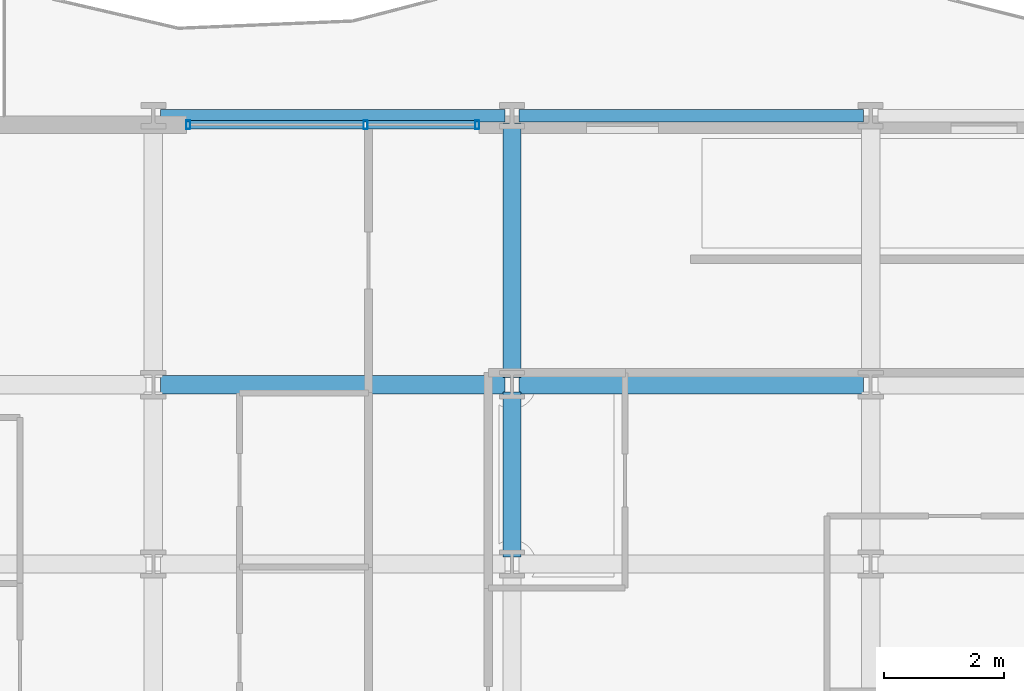
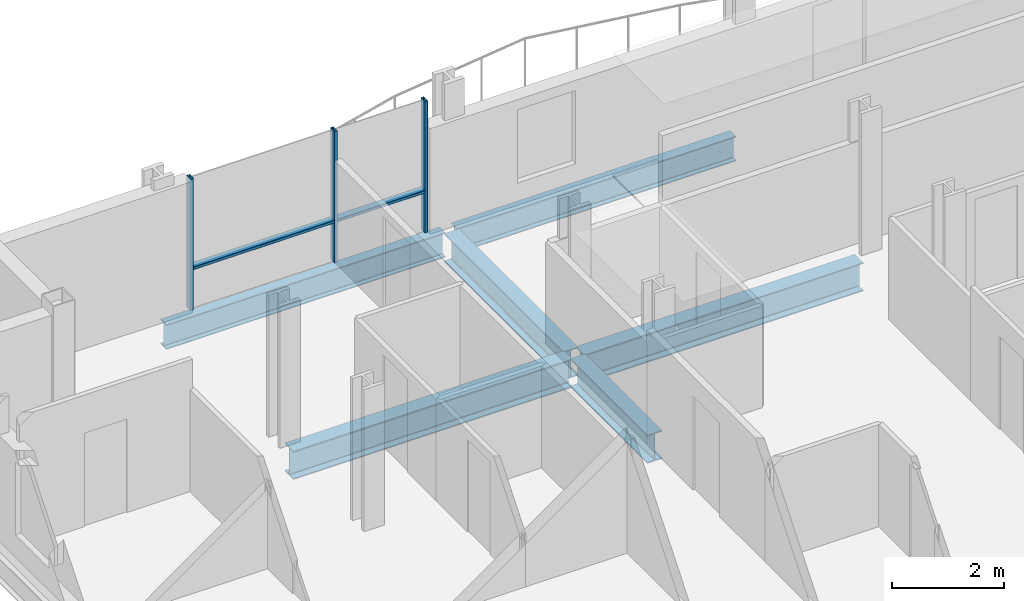
# One storey, part 7 of 38: 6 beams, 5 members, 1 element without a shape of its own.
"""IFC4 building model written with IfcOpenShell, lengths in metres."""

from ifc_helpers import new_model, si_unit, direction, frame, origin, origin_2d, place, context, subcontext, project, spatial, hollow_rectangle, i_section, extrude, material, layer, layer_set, material_profile, profile_set, type_object, element, aggregate, save


model = new_model("IFC4")

# Units and contexts
model_context = context("Model", 3, precision=1e-05, world=origin(), true_north=direction((0.0, 1.0)))
body_context = subcontext(model_context, "Body", "Model", "MODEL_VIEW")
ifc_project = project(units=[si_unit("LENGTHUNIT", "METRE"), si_unit("AREAUNIT", "SQUARE_METRE"), si_unit("VOLUMEUNIT", "CUBIC_METRE"), si_unit("PLANEANGLEUNIT", "RADIAN"), si_unit("MASSUNIT", "GRAM", prefix="KILO")], contexts=[model_context])

# Site, building, storey
site_placement = place(None, origin())
site = spatial("IfcSite", under=ifc_project, at=site_placement, CompositionType="ELEMENT")
building_placement = place(site_placement, origin())
building = spatial("IfcBuilding", under=site, at=building_placement, Name="Brevholm Reach", CompositionType="ELEMENT")
storey_placement = place(building_placement, frame((0.0, 0.0, 59.0)))
storey = spatial("IfcBuildingStorey", under=building, at=storey_placement, Name="L16", CompositionType="ELEMENT", Elevation=59.0)

# Beams
ifc_material_1 = material(Name="Structural Steel S355J2", Category="steel")
ifc_material_profile_1 = material_profile(ifc_material_1, i_section(OverallWidth=0.210693359375, OverallDepth=0.53955078125, WebThickness=0.01171875, FlangeThickness=0.018798828125, FilletRadius=0.0126953125, at=origin_2d()), Name="UKB 533x210x109")
ifc_profile_set_1 = profile_set([ifc_material_profile_1], Name="Structural Steel S355J2")
beam_type_1 = type_object("IfcBeamType", Name="BM-SP539", PredefinedType="SPANDREL", material=ifc_profile_set_1)
for number, where, z_axis, x_axis, name in (
    (1, (6.1201171875, 31.0, -0.499755859375), (1.0, 0.0, 0.0), (0.0, 1.0, 0.0), "L16 SP-01B Framing Beam"),
    (2, (12.1201171875, 31.0, -0.499755859375), (1.0, 0.0, 0.0), (0.0, 1.0, 0.0), "L16 SP-01B Framing Beam"),
):
    element("IfcBeam", number, at=place(storey_placement, frame(where, z_axis=z_axis, x_axis=x_axis)), inside=storey, type_object=beam_type_1, Name=name, PredefinedType="SPANDREL", context=body_context, shape_type="SweptSolid", body=[
        extrude(i_section(OverallWidth=0.210693359375, OverallDepth=0.53955078125, WebThickness=0.01171875, FlangeThickness=0.018798828125, FilletRadius=0.0126953125, at=origin_2d()), origin(), (0.0, 0.0, 1.0), 5.759765625),
    ])
ifc_material_2 = material(Name="Structural Steel S355J2", Category="steel")
ifc_material_profile_2 = material_profile(ifc_material_2, i_section(OverallWidth=0.30712890625, OverallDepth=0.6201171875, WebThickness=0.01416015625, FlangeThickness=0.023681640625, FilletRadius=0.0166015625, at=origin_2d()), Name="UKB 610x305x179")
ifc_profile_set_2 = profile_set([ifc_material_profile_2], Name="Structural Steel S355J2")
beam_type_2 = type_object("IfcBeamType", Name="BM-UKB610H", PredefinedType="USERDEFINED", material=ifc_profile_set_2)
for number, where, z_axis, x_axis, name in (
    (3, (6.1201171875, 26.5, -0.5400390625), (1.0, 0.0, 0.0), (0.0, 1.0, 0.0), "L16 G-06 Framing Beam"),
    (4, (12.1201171875, 26.5, -0.5400390625), (1.0, 0.0, 0.0), (0.0, 1.0, 0.0), "L16 G-06 Framing Beam"),
):
    element("IfcBeam", number, at=place(storey_placement, frame(where, z_axis=z_axis, x_axis=x_axis)), inside=storey, type_object=beam_type_2, Name=name, ObjectType="GIRDER", PredefinedType="USERDEFINED", context=body_context, shape_type="SweptSolid", body=[
        extrude(i_section(OverallWidth=0.30712890625, OverallDepth=0.6201171875, WebThickness=0.01416015625, FlangeThickness=0.023681640625, FilletRadius=0.0166015625, at=origin_2d()), origin(), (0.0, 0.0, 1.0), 5.759765625),
    ])
beam_1_placement = place(storey_placement, frame((12.0, 23.6201171875, -0.5400390625), z_axis=(0.0, 1.0, 0.0), x_axis=(-1.0, 0.0, 0.0)))
element("IfcBeam", 5, at=beam_1_placement, inside=storey, type_object=beam_type_2, Name="L16 G-06 Framing Beam", ObjectType="GIRDER", PredefinedType="USERDEFINED", context=body_context, shape_type="SweptSolid", body=[
    extrude(i_section(OverallWidth=0.30712890625, OverallDepth=0.6201171875, WebThickness=0.01416015625, FlangeThickness=0.023681640625, FilletRadius=0.0166015625, at=origin_2d()), origin(), (0.0, 0.0, 1.0), 2.759765625),
])
beam_2_placement = place(storey_placement, frame((12.0, 26.6201171875, -0.5400390625), z_axis=(0.0, 1.0, 0.0), x_axis=(-1.0, 0.0, 0.0)))
element("IfcBeam", 6, at=beam_2_placement, inside=storey, type_object=beam_type_2, Name="L16 G-06 Framing Beam", ObjectType="GIRDER", PredefinedType="USERDEFINED", context=body_context, shape_type="SweptSolid", body=[
    extrude(i_section(OverallWidth=0.30712890625, OverallDepth=0.6201171875, WebThickness=0.01416015625, FlangeThickness=0.023681640625, FilletRadius=0.0166015625, at=origin_2d()), origin(), (0.0, 0.0, 1.0), 4.259765625),
])

# Curtain wall, members
ifc_material_3 = material(Name="Dark Anodised Aluminium 6063-T6 and Solar-Control Glass", Category="aluminium")
ifc_layer = layer(ifc_material_3, 0.14990234375)
ifc_layer_set = layer_set([ifc_layer], Name="Dark Anodised Aluminium 6063-T6 and Solar-Control Glass")
curtain_wall_type = type_object("IfcCurtainWallType", Name="CW-01", PredefinedType="NOTDEFINED", material=ifc_layer_set)
curtain_wall_placement = place(storey_placement, origin())
curtain_wall = element("IfcCurtainWall", 7, at=curtain_wall_placement, inside=storey, type_object=curtain_wall_type, Name="L16 Curtain Wall CW-01", PredefinedType="NOTDEFINED")
ifc_material_4 = material(Name="Dark Anodised Aluminium 6063-T6", Category="aluminium")
ifc_material_profile_3 = material_profile(ifc_material_4, hollow_rectangle(XDim=0.06494140625, YDim=0.14990234375, WallThickness=0.0048828125, InnerFilletRadius=0.0048828125, OuterFilletRadius=0.010009765625, at=origin_2d()), Name="RHS 150x65x5")
ifc_profile_set_3 = profile_set([ifc_material_profile_3], Name="Dark Anodised Aluminium 6063-T6")
member_type_1 = type_object("IfcMemberType", Name="CWM-150", PredefinedType="MULLION", material=ifc_profile_set_3)
member_1_placement = place(storey_placement, frame((6.58251953125, 30.85009765625, 0.0), z_axis=(0.0, 0.0, 1.0), x_axis=(1.0, 0.0, 0.0)))
member_1 = element("IfcMember", 8, at=member_1_placement, type_object=member_type_1, Name="CM-150 Mullion 1", PredefinedType="MULLION", context=body_context, shape_type="SweptSolid", body=[
    extrude(hollow_rectangle(XDim=0.06494140625, YDim=0.14990234375, WallThickness=0.0048828125, InnerFilletRadius=0.0048828125, OuterFilletRadius=0.010009765625, at=origin_2d()), origin(), (0.0, 0.0, 1.0), 2.8701171875),
])
member_2_placement = place(storey_placement, frame((9.550048828125, 30.85009765625, 0.0), z_axis=(0.0, 0.0, 1.0), x_axis=(1.0, 0.0, 0.0)))
member_2 = element("IfcMember", 9, at=member_2_placement, type_object=member_type_1, Name="CM-150 Mullion 2", PredefinedType="MULLION", context=body_context, shape_type="SweptSolid", body=[
    extrude(hollow_rectangle(XDim=0.06494140625, YDim=0.14990234375, WallThickness=0.0048828125, InnerFilletRadius=0.0048828125, OuterFilletRadius=0.010009765625, at=origin_2d()), origin(), (0.0, 0.0, 1.0), 2.8701171875),
])
member_3_placement = place(storey_placement, frame((11.41748046875, 30.85009765625, 0.0), z_axis=(0.0, 0.0, 1.0), x_axis=(1.0, 0.0, 0.0)))
member_3 = element("IfcMember", 10, at=member_3_placement, type_object=member_type_1, Name="CM-150 Mullion 3", PredefinedType="MULLION", context=body_context, shape_type="SweptSolid", body=[
    extrude(hollow_rectangle(XDim=0.06494140625, YDim=0.14990234375, WallThickness=0.0048828125, InnerFilletRadius=0.0048828125, OuterFilletRadius=0.010009765625, at=origin_2d()), origin(), (0.0, 0.0, 1.0), 2.8701171875),
])
ifc_material_5 = material(Name="Dark Anodised Aluminium 6063-T6", Category="aluminium")
ifc_material_profile_4 = material_profile(ifc_material_5, hollow_rectangle(XDim=0.06494140625, YDim=0.14990234375, WallThickness=0.0048828125, InnerFilletRadius=0.0048828125, OuterFilletRadius=0.010009765625, at=origin_2d()), Name="RHS 150x65x5")
ifc_profile_set_4 = profile_set([ifc_material_profile_4], Name="Dark Anodised Aluminium 6063-T6")
member_type_2 = type_object("IfcMemberType", Name="CWT-150", PredefinedType="NOTDEFINED", material=ifc_profile_set_4)
member_4_placement = place(storey_placement, frame((6.614990234375, 30.85009765625, 0.89990234375), z_axis=(1.0, 0.0, 0.0), x_axis=(0.0, 0.0, 1.0)))
member_4 = element("IfcMember", 11, at=member_4_placement, type_object=member_type_2, Name="CT-150 Transom 1.1", ObjectType="TRANSOM", PredefinedType="USERDEFINED", context=body_context, shape_type="SweptSolid", body=[
    extrude(hollow_rectangle(XDim=0.06494140625, YDim=0.14990234375, WallThickness=0.0048828125, InnerFilletRadius=0.0048828125, OuterFilletRadius=0.010009765625, at=origin_2d()), origin(), (0.0, 0.0, 1.0), 2.902587890625),
])
member_5_placement = place(storey_placement, frame((9.58251953125, 30.85009765625, 0.89990234375), z_axis=(1.0, 0.0, 0.0), x_axis=(0.0, 0.0, 1.0)))
member_5 = element("IfcMember", 12, at=member_5_placement, type_object=member_type_2, Name="CT-150 Transom 2.1", ObjectType="TRANSOM", PredefinedType="USERDEFINED", context=body_context, shape_type="SweptSolid", body=[
    extrude(hollow_rectangle(XDim=0.06494140625, YDim=0.14990234375, WallThickness=0.0048828125, InnerFilletRadius=0.0048828125, OuterFilletRadius=0.010009765625, at=origin_2d()), origin(), (0.0, 0.0, 1.0), 1.802490234375),
])
aggregate(curtain_wall, [member_1, member_2, member_3, member_4, member_5])

save(model, "model.ifc")
